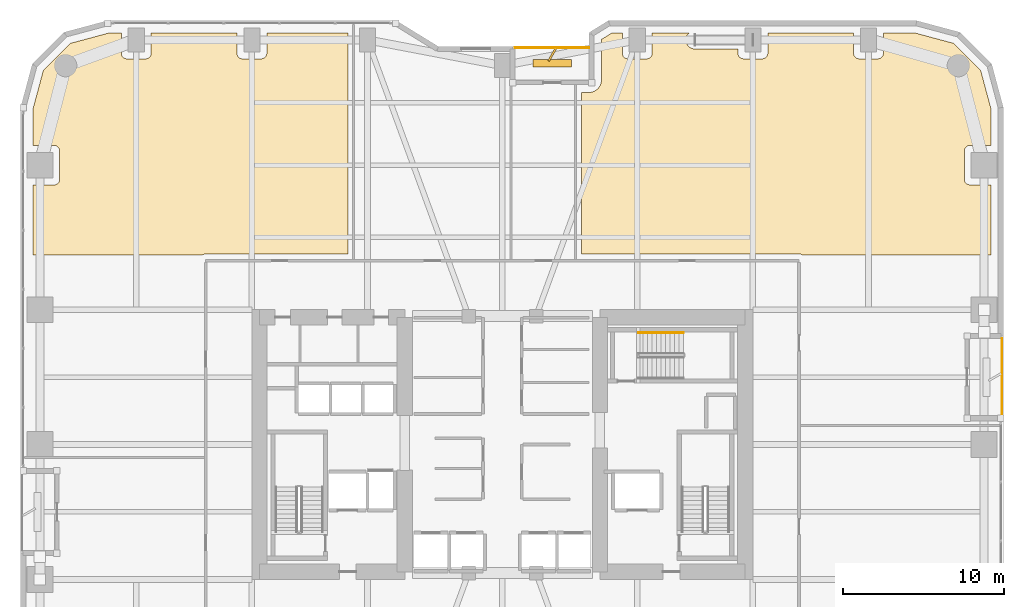
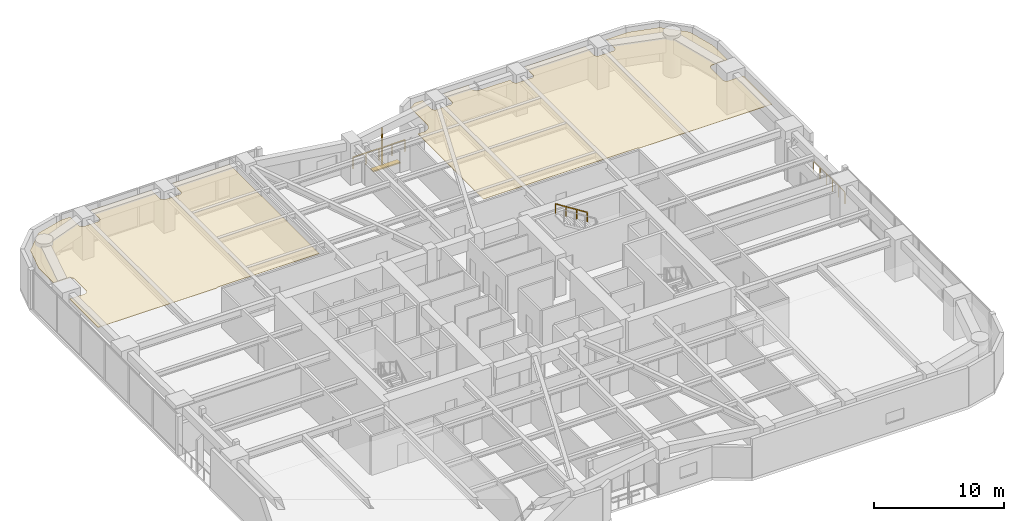
# One storey, part 28 of 28: 3 railings, 2 coverings, 2 shading devices.
"""IFC4 building model written with IfcOpenShell, lengths in metres."""

import ifcopenshell
import ifcopenshell.guid

model = None  # the IFC model being written
_history = None  # IfcOwnerHistory: only IFC2X3 demands one
_inside = {}  # id of a spatial element -> (the spatial element, [elements in it])
_under = {}  # id of a project, library or spatial element -> (it, [spatial elements below it])
_declared = {}  # id of a project -> (the project, [libraries it declares])
_typed = {}  # id of a type object -> (the type object, [elements of that type])
_made_of = {}  # id of a material, layer set ... -> (it, [elements and type objects made of it])


def new_model(schema):
    """Start an empty IFC model of exactly this schema.

    Asked for "IFC4X3", IfcOpenShell would pick the latest addendum, in which some entities
    have other attributes; the version numbers below select the first issue.
    IFC2X3 requires an IfcOwnerHistory on every rooted entity: one is made here for all.
    """
    global model, _history
    if schema == "IFC4X3":
        model = ifcopenshell.file(schema_version=(4, 3, 0, 0))
    else:
        model = ifcopenshell.file(schema=schema)
    _inside.clear()
    _under.clear()
    _declared.clear()
    _typed.clear()
    _made_of.clear()
    _history = None
    if model.schema == "IFC2X3":
        org = make("IfcOrganization", Name="unknown")
        user = make(
            "IfcPersonAndOrganization",
            ThePerson=make("IfcPerson", FamilyName="unknown"),
            TheOrganization=org,
        )
        app = make(
            "IfcApplication",
            ApplicationDeveloper=org,
            Version="unknown",
            ApplicationFullName="unknown",
            ApplicationIdentifier="unknown",
        )
        _history = make(
            "IfcOwnerHistory",
            OwningUser=user,
            OwningApplication=app,
            ChangeAction="ADDED",
            CreationDate=0,
        )
    return model


def make(cls, **values):
    """One entity of the class cls with the attributes given. An attribute that is None is left unset."""
    return model.create_entity(
        cls, **{name: value for name, value in values.items() if value is not None}
    )


def rooted(cls, **values):
    """An entity with a GlobalId (a new one), such as an element, a storey or a relation."""
    return make(cls, GlobalId=ifcopenshell.guid.new(), OwnerHistory=_history, **values)


def si_unit(unit_type, name, prefix=None):
    """IfcSIUnit, for example si_unit("LENGTHUNIT", "METRE", prefix="MILLI")."""
    return make("IfcSIUnit", UnitType=unit_type, Prefix=prefix, Name=name)


def assignment(units):
    """IfcUnitAssignment: the units of a project."""
    return None if units is None else make("IfcUnitAssignment", Units=units)


def point(xyz):
    """IfcCartesianPoint."""
    return None if xyz is None else make("IfcCartesianPoint", Coordinates=xyz)


def direction(xyz):
    """IfcDirection."""
    return None if xyz is None else make("IfcDirection", DirectionRatios=xyz)


def frame(location, z_axis=None, x_axis=None):
    """IfcAxis2Placement3D, a coordinate frame: its origin and axes. An axis left out is left unset."""
    return make(
        "IfcAxis2Placement3D",
        Location=point(location),
        Axis=direction(z_axis),
        RefDirection=direction(x_axis),
    )


def frame_2d(location, x_axis=None):
    """IfcAxis2Placement2D, a coordinate frame in the plane: its origin and x axis."""
    return make(
        "IfcAxis2Placement2D", Location=point(location), RefDirection=direction(x_axis)
    )


def origin():
    """The frame at (0, 0, 0) with its axes left unset."""
    return frame((0.0, 0.0, 0.0))


def origin_2d():
    """The frame at (0, 0) in the plane with its x axis left unset."""
    return frame_2d((0.0, 0.0))


def place(relative_to, where):
    """IfcLocalPlacement: puts the frame where relative to a parent placement (None: the world)."""
    return make(
        "IfcLocalPlacement", PlacementRelTo=relative_to, RelativePlacement=where
    )


def context(
    kind, dimensions, precision=None, world=None, true_north=None, identifier=None
):
    """IfcGeometricRepresentationContext, for example the 3D "Model" context."""
    return make(
        "IfcGeometricRepresentationContext",
        ContextIdentifier=identifier,
        ContextType=kind,
        CoordinateSpaceDimension=dimensions,
        Precision=precision,
        WorldCoordinateSystem=world,
        TrueNorth=true_north,
    )


def subcontext(parent, identifier, kind, view, scale=None):
    """IfcGeometricRepresentationSubContext, for example "Body" below "Model"."""
    return make(
        "IfcGeometricRepresentationSubContext",
        ContextIdentifier=identifier,
        ContextType=kind,
        ParentContext=parent,
        TargetScale=scale,
        TargetView=view,
    )


def project(units=None, contexts=None):
    """IfcProject with its units and contexts."""
    return rooted(
        "IfcProject",
        Name="project",
        RepresentationContexts=contexts,
        UnitsInContext=assignment(units),
    )


def spatial(cls, under=None, at=None, **own):
    """A site, building, storey or space (cls), placed at a placement, below another one or the project."""
    s = rooted(cls, ObjectPlacement=at, **own)
    if under is not None:
        _under.setdefault(under.id(), (under, []))[1].append(s)
    return s


def polyline(points):
    """IfcPolyline through the points."""
    return make("IfcPolyline", Points=[point(p) for p in points])


def profile(cls, at=None, kind="AREA", **sizes):
    """A parametric profile (cls). Its sizes go by their IFC names, for example OverallWidth=200.0."""
    return make(cls, ProfileType=kind, Position=at, **sizes)


def rectangle(**sizes):
    """IfcRectangleProfileDef."""
    return profile("IfcRectangleProfileDef", **sizes)


def outline(outer, holes=None, kind="AREA"):
    """IfcArbitraryClosedProfileDef: a profile drawn as a closed curve; with holes, ...WithVoids."""
    if holes is None:
        return make("IfcArbitraryClosedProfileDef", ProfileType=kind, OuterCurve=outer)
    return make(
        "IfcArbitraryProfileDefWithVoids",
        ProfileType=kind,
        OuterCurve=outer,
        InnerCurves=holes,
    )


def extrude(swept, where, along, depth):
    """IfcExtrudedAreaSolid: the profile swept, set in the frame where, extruded along a direction by depth."""
    return make(
        "IfcExtrudedAreaSolid",
        SweptArea=swept,
        Position=where,
        ExtrudedDirection=direction(along),
        Depth=depth,
    )


def shape(context_of_items, identifier, shape_type, items):
    """IfcShapeRepresentation: the items that make up one representation, for example the "Body"."""
    return make(
        "IfcShapeRepresentation",
        ContextOfItems=context_of_items,
        RepresentationIdentifier=identifier,
        RepresentationType=shape_type,
        Items=items,
    )


def material(Name=None, Category=None):
    """IfcMaterial."""
    return make("IfcMaterial", Name=Name, Category=Category)


def layer(
    of_material, thickness, ventilated=None, Name=None, Category=None, Priority=None
):
    """IfcMaterialLayer: one layer of a wall or slab, of a material (None: an air gap)."""
    return make(
        "IfcMaterialLayer",
        Material=of_material,
        LayerThickness=thickness,
        IsVentilated=ventilated,
        Name=Name,
        Category=Category,
        Priority=Priority,
    )


def layer_set(layers, Name=None):
    """IfcMaterialLayerSet."""
    return make("IfcMaterialLayerSet", MaterialLayers=layers, LayerSetName=Name)


def made_of(thing, what):
    """Note that an element or type object is made of a material, layer set ...; save() writes the relation."""
    if what is not None:
        _made_of.setdefault(what.id(), (what, []))[1].append(thing)
    return thing


def type_object(cls, material=None, **own):
    """A type object (cls), such as IfcWallType, which elements share."""
    return made_of(rooted(cls, **own), material)


def element(
    cls,
    number,
    at=None,
    inside=None,
    cuts=None,
    type_object=None,
    material=None,
    context=None,
    identifier="Body",
    shape_type=None,
    held_by="IfcProductDefinitionShape",
    body=None,
    shapes=None,
    **own,
):
    """One element of the class cls, such as IfcWall. Its Tag is "e" and its number.

    at: its placement. inside: the storey or other place that contains it. cuts: it is an
    opening in that element (IfcRelVoidsElement). A single representation is given by context,
    identifier, shape_type and body (its items); several are given by shapes. held_by: the class
    of the entity that holds the representations. save() writes the other relations.
    """
    e = rooted(cls, Tag="e%d" % number, ObjectPlacement=at, **own)
    if body is not None:
        shapes = [shape(context, identifier, shape_type, body)]
    if shapes is not None:
        e.Representation = make(held_by, Representations=shapes)
    if inside is not None:
        _inside.setdefault(inside.id(), (inside, []))[1].append(e)
    if cuts is not None:
        rooted(
            "IfcRelVoidsElement", RelatingBuildingElement=cuts, RelatedOpeningElement=e
        )
    if type_object is not None:
        _typed.setdefault(type_object.id(), (type_object, []))[1].append(e)
    return made_of(e, material)


def aggregate(whole, parts):
    """IfcRelAggregates: a whole, such as a stair, and the parts it consists of."""
    return rooted("IfcRelAggregates", RelatingObject=whole, RelatedObjects=parts)


def save(model, path):
    """Write the relations noted so far, then the file.

    IfcRelAggregates (storeys below a building ...), IfcRelContainedInSpatialStructure (elements
    in a storey), IfcRelDefinesByType, IfcRelAssociatesMaterial and IfcRelDeclares: one each for
    every whole, place, type object, material and project.
    """
    for whole, parts in _under.values():
        aggregate(whole, parts)
    for where, things in _inside.values():
        rooted(
            "IfcRelContainedInSpatialStructure",
            RelatedElements=things,
            RelatingStructure=where,
        )
    for kind, things in _typed.values():
        rooted("IfcRelDefinesByType", RelatedObjects=things, RelatingType=kind)
    for what, things in _made_of.values():
        rooted("IfcRelAssociatesMaterial", RelatedObjects=things, RelatingMaterial=what)
    for by, libraries in _declared.values():
        rooted("IfcRelDeclares", RelatingContext=by, RelatedDefinitions=libraries)
    model.write(path)


model = new_model("IFC4")

# Units and contexts
model_context = context("Model", 3, precision=1e-05, world=origin(), true_north=direction((0.0, 1.0)))
body_context = subcontext(model_context, "Body", "Model", "MODEL_VIEW")
ifc_project = project(units=[si_unit("LENGTHUNIT", "METRE"), si_unit("AREAUNIT", "SQUARE_METRE"), si_unit("VOLUMEUNIT", "CUBIC_METRE"), si_unit("PLANEANGLEUNIT", "RADIAN"), si_unit("MASSUNIT", "GRAM", prefix="KILO")], contexts=[model_context])

# Site, building, storey
site_placement = place(None, origin())
site = spatial("IfcSite", under=ifc_project, at=site_placement, CompositionType="ELEMENT")
building_placement = place(site_placement, origin())
building = spatial("IfcBuilding", under=site, at=building_placement, Name="Kiyonajd Concourse Tower", CompositionType="ELEMENT")
storey_placement = place(building_placement, frame((0.0, 0.0, 64.5)))
storey = spatial("IfcBuildingStorey", under=building, at=storey_placement, Name="L17", CompositionType="ELEMENT", Elevation=64.5)

# Coverings
ifc_material_1 = material(Name="Natural Oak Acoustic Timber Veneer", Category="wood")
ifc_layer = layer(ifc_material_1, 0.0400390625)
ifc_layer_set = layer_set([ifc_layer], Name="Natural Oak Acoustic Timber Veneer")
covering_type = type_object("IfcCoveringType", Name="CV-CLG-ACST", PredefinedType="CEILING", material=ifc_layer_set)
covering_1_placement = place(storey_placement, frame((0.0, 0.0, 3.4599609375)))
element("IfcCovering", 1, at=covering_1_placement, inside=storey, type_object=covering_type, Name="L17-48 Room Acoustic Ceiling", PredefinedType="CEILING", context=body_context, shape_type="SweptSolid", body=[
    extrude(outline(polyline([(21.097900390625, 60.986083984375), (23.5009765625, 61.6298828125), (24.27001953125, 61.6298828125), (24.27197265625, 60.3359375), (24.297119140625, 60.236083984375), (24.3291015625, 60.176025390625), (24.373046875, 60.123046875), (24.426025390625, 60.0791015625), (24.486083984375, 60.047119140625), (24.5859375, 60.02197265625), (25.81396484375, 60.02197265625), (25.9140625, 60.047119140625), (26.001953125, 60.09912109375), (26.051025390625, 60.14794921875), (26.089111328125, 60.205078125), (26.123046875, 60.302001953125), (26.1298828125, 60.3701171875), (26.1298828125, 61.6298828125), (31.469970703125, 61.6298828125), (31.471923828125, 60.3359375), (31.4970703125, 60.236083984375), (31.529052734375, 60.176025390625), (31.572998046875, 60.123046875), (31.6259765625, 60.0791015625), (31.68603515625, 60.047119140625), (31.785888671875, 60.02197265625), (32.97998046875, 60.02001953125), (33.048095703125, 60.027099609375), (33.114013671875, 60.047119140625), (33.201904296875, 60.09912109375), (33.2509765625, 60.14794921875), (33.2890625, 60.205078125), (33.322998046875, 60.302001953125), (33.330078125, 60.3701171875), (33.330078125, 61.6298828125), (38.389892578125, 61.6298828125), (38.389892578125, 47.8701171875), (29.52490234375, 47.8701171875), (29.39501953125, 47.85009765625), (29.33203125, 47.823974609375), (29.277099609375, 47.7900390625), (18.77001953125, 47.7900390625), (18.77001953125, 52.169921875), (20.080078125, 52.169921875), (20.14794921875, 52.177001953125), (20.2451171875, 52.2109375), (20.302001953125, 52.2490234375), (20.35107421875, 52.298095703125), (20.388916015625, 52.35498046875), (20.4150390625, 52.41796875), (20.429931640625, 52.52001953125), (20.429931640625, 54.280029296875), (20.4150390625, 54.382080078125), (20.388916015625, 54.445068359375), (20.35107421875, 54.501953125), (20.302001953125, 54.551025390625), (20.2451171875, 54.589111328125), (20.181884765625, 54.614990234375), (20.114013671875, 54.6279296875), (18.77001953125, 54.6298828125), (18.77001953125, 56.89892578125), (19.4140625, 59.302001953125), (21.097900390625, 60.986083984375)])), origin(), (0.0, 0.0, 1.0), 0.0400390625),
])
covering_2_placement = place(storey_placement, frame((0.0, 0.0, 3.4599609375)))
element("IfcCovering", 2, at=covering_2_placement, inside=storey, type_object=covering_type, Name="L17-51 Room Acoustic Ceiling", PredefinedType="CEILING", context=body_context, shape_type="SweptSolid", body=[
    extrude(outline(polyline([(53.532958984375, 57.94189453125), (53.639892578125, 57.968994140625), (53.72802734375, 58.00390625), (53.839111328125, 58.068115234375), (53.95703125, 58.16796875), (54.031982421875, 58.260986328125), (54.095947265625, 58.3720703125), (54.131103515625, 58.4599609375), (54.157958984375, 58.56689453125), (54.16796875, 58.658935546875), (54.169921875, 61.23095703125), (54.818115234375, 61.6298828125), (55.469970703125, 61.6298828125), (55.469970703125, 60.3701171875), (55.47705078125, 60.302001953125), (55.510986328125, 60.205078125), (55.549072265625, 60.14794921875), (55.597900390625, 60.09912109375), (55.68603515625, 60.047119140625), (55.751953125, 60.027099609375), (55.820068359375, 60.02001953125), (57.013916015625, 60.02197265625), (57.114013671875, 60.047119140625), (57.174072265625, 60.0791015625), (57.22705078125, 60.123046875), (57.27099609375, 60.176025390625), (57.302978515625, 60.236083984375), (57.327880859375, 60.3359375), (57.330078125, 61.6298828125), (59.6259765625, 61.6298828125), (59.5390625, 61.533935546875), (59.498046875, 61.469970703125), (59.467041015625, 61.40087890625), (59.43603515625, 61.27490234375), (59.429931640625, 61.199951171875), (59.43603515625, 61.125), (59.467041015625, 60.9990234375), (59.498046875, 60.929931640625), (59.5390625, 60.865966796875), (59.637939453125, 60.759033203125), (59.759033203125, 60.68408203125), (59.87109375, 60.64501953125), (59.97802734375, 60.631103515625), (62.669921875, 60.6298828125), (62.672119140625, 60.3359375), (62.68505859375, 60.26806640625), (62.7109375, 60.205078125), (62.77294921875, 60.123046875), (62.85498046875, 60.06103515625), (62.91796875, 60.034912109375), (63.02001953125, 60.02001953125), (64.214111328125, 60.02197265625), (64.31396484375, 60.047119140625), (64.3740234375, 60.0791015625), (64.427001953125, 60.123046875), (64.489013671875, 60.205078125), (64.514892578125, 60.26806640625), (64.528076171875, 60.3359375), (64.530029296875, 61.6298828125), (69.8701171875, 61.6298828125), (69.8701171875, 60.3701171875), (69.876953125, 60.302001953125), (69.89697265625, 60.236083984375), (69.928955078125, 60.176025390625), (69.998046875, 60.09912109375), (70.0859375, 60.047119140625), (70.18603515625, 60.02197265625), (71.4140625, 60.02197265625), (71.513916015625, 60.047119140625), (71.573974609375, 60.0791015625), (71.626953125, 60.123046875), (71.68896484375, 60.205078125), (71.715087890625, 60.26806640625), (71.72802734375, 60.3359375), (71.72998046875, 61.6298828125), (73.698974609375, 61.6298828125), (76.10205078125, 60.986083984375), (77.785888671875, 59.302001953125), (78.429931640625, 56.89892578125), (78.429931640625, 54.6298828125), (77.1201171875, 54.6298828125), (77.052001953125, 54.623046875), (76.986083984375, 54.60302734375), (76.926025390625, 54.571044921875), (76.84912109375, 54.501953125), (76.81103515625, 54.445068359375), (76.784912109375, 54.382080078125), (76.77001953125, 54.280029296875), (76.77001953125, 52.52001953125), (76.784912109375, 52.41796875), (76.81103515625, 52.35498046875), (76.84912109375, 52.298095703125), (76.89794921875, 52.2490234375), (76.955078125, 52.2109375), (77.01806640625, 52.18505859375), (77.0859375, 52.172119140625), (78.429931640625, 52.169921875), (78.429931640625, 47.7900390625), (66.722900390625, 47.7900390625), (66.66796875, 47.823974609375), (66.60498046875, 47.85009765625), (66.47509765625, 47.8701171875), (52.929931640625, 47.8701171875), (52.929931640625, 57.930908203125), (53.44189453125, 57.931884765625), (53.532958984375, 57.94189453125)])), origin(), (0.0, 0.0, 1.0), 0.0400390625),
])

# Railings
ifc_material_2 = material(Name="Thermally Broken Anodised Aluminium", Category="aluminium")
railing_type_1 = type_object("IfcRailingType", Name="RL-GRD-LOG", PredefinedType="GUARDRAIL", material=ifc_material_2)
railing_1_placement = place(storey_placement, frame((53.39990234375, 60.719970703125, 0.0)))
element("IfcRailing", 3, at=railing_1_placement, inside=storey, type_object=railing_type_1, Name="L17 Engawa Loggia Perimeter Guard LOG-N", PredefinedType="GUARDRAIL", context=body_context, shape_type="SweptSolid", body=[
    extrude(rectangle(XDim=0.048095703125, YDim=0.048095703125, at=origin_2d()), frame((0.0, 0.0, 1.076171875), z_axis=(-1.0, 0.0, 0.0), x_axis=(0.0, -1.0, 0.0)), (0.0, 0.0, 1.0), 4.599853515625),
    extrude(rectangle(XDim=0.0419921875, YDim=0.0419921875, at=origin_2d()), origin(), (0.0, 0.0, 1.0), 1.052001953125),
    extrude(rectangle(XDim=0.0419921875, YDim=0.0419921875, at=origin_2d()), frame((-1.14990234375, 0.0, 0.0)), (0.0, 0.0, 1.0), 1.052001953125),
    extrude(rectangle(XDim=0.0419921875, YDim=0.0419921875, at=origin_2d()), frame((-2.2998046875, 0.0, 0.0)), (0.0, 0.0, 1.0), 1.052001953125),
    extrude(rectangle(XDim=0.0419921875, YDim=0.0419921875, at=origin_2d()), frame((-3.449951171875, 0.0, 0.0)), (0.0, 0.0, 1.0), 1.052001953125),
    extrude(rectangle(XDim=0.0419921875, YDim=0.0419921875, at=origin_2d()), frame((-4.599853515625, 0.0, 0.0)), (0.0, 0.0, 1.0), 1.052001953125),
])
railing_2_placement = place(storey_placement, frame((79.1201171875, 37.800048828125, 0.0)))
element("IfcRailing", 4, at=railing_2_placement, inside=storey, type_object=railing_type_1, Name="L17 Engawa Loggia Perimeter Guard LOG-E", PredefinedType="GUARDRAIL", context=body_context, shape_type="SweptSolid", body=[
    extrude(rectangle(XDim=0.048095703125, YDim=0.048095703125, at=origin_2d()), frame((0.0, 0.0, 1.076171875), z_axis=(0.0, 1.0, 0.0), x_axis=(-1.0, 0.0, 0.0)), (0.0, 0.0, 1.0), 4.800048828125),
    extrude(rectangle(XDim=0.0419921875, YDim=0.0419921875, at=origin_2d()), origin(), (0.0, 0.0, 1.0), 1.052001953125),
    extrude(rectangle(XDim=0.0419921875, YDim=0.0419921875, at=origin_2d()), frame((0.0, 0.9599609375, 0.0)), (0.0, 0.0, 1.0), 1.052001953125),
    extrude(rectangle(XDim=0.0419921875, YDim=0.0419921875, at=origin_2d()), frame((0.0, 1.919921875, 0.0)), (0.0, 0.0, 1.0), 1.052001953125),
    extrude(rectangle(XDim=0.0419921875, YDim=0.0419921875, at=origin_2d()), frame((0.0, 2.880126953125, 0.0)), (0.0, 0.0, 1.0), 1.052001953125),
    extrude(rectangle(XDim=0.0419921875, YDim=0.0419921875, at=origin_2d()), frame((0.0, 3.840087890625, 0.0)), (0.0, 0.0, 1.0), 1.052001953125),
    extrude(rectangle(XDim=0.0419921875, YDim=0.0419921875, at=origin_2d()), frame((0.0, 4.800048828125, 0.0)), (0.0, 0.0, 1.0), 1.052001953125),
])
ifc_material_3 = material(Name="Brushed Stainless Steel Cab Assembly", Category="steel")
railing_type_2 = type_object("IfcRailingType", Name="RL-HND-900", PredefinedType="HANDRAIL", material=ifc_material_3)
railing_3_placement = place(storey_placement, frame((59.280029296875, 42.969970703125, 2.127197265625)))
element("IfcRailing", 5, at=railing_3_placement, inside=storey, type_object=railing_type_2, Name="L17 ST3 stair handrail 2", PredefinedType="HANDRAIL", context=body_context, shape_type="SweptSolid", body=[
    extrude(rectangle(XDim=0.048095703125, YDim=0.048095703125, at=origin_2d()), frame((0.0, 0.0, 0.8759765625), z_axis=(-0.844908973607, 0.0, 0.534910110503), x_axis=(0.0, -1.0, 0.0)), (0.0, 0.0, 1.0), 3.31396484375),
    extrude(rectangle(XDim=0.0419921875, YDim=0.0419921875, at=origin_2d()), origin(), (0.0, 0.0, 1.0), 0.851806640625),
    extrude(rectangle(XDim=0.0419921875, YDim=0.0419921875, at=origin_2d()), frame((-0.933349609375, 0.0, 0.5908203125)), (0.0, 0.0, 1.0), 0.851806640625),
    extrude(rectangle(XDim=0.0419921875, YDim=0.0419921875, at=origin_2d()), frame((-1.86669921875, 0.0, 1.181884765625)), (0.0, 0.0, 1.0), 0.851806640625),
    extrude(rectangle(XDim=0.0419921875, YDim=0.0419921875, at=origin_2d()), frame((-2.800048828125, 0.0, 1.772705078125)), (0.0, 0.0, 1.0), 0.851806640625),
])

# Shading devices
ifc_material_4 = material(Name="Precast concrete C50/60", Category="concrete")
shading_device_type_1 = type_object("IfcShadingDeviceType", Name="SH-FIN-900", PredefinedType="USERDEFINED", material=ifc_material_4)
shading_device_1_placement = place(storey_placement, frame((51.10009765625, 60.27001953125, 0.0), z_axis=(0.0, 0.0, 1.0), x_axis=(0.5, 0.866025403784, 0.0)))
element("IfcShadingDevice", 6, at=shading_device_1_placement, inside=storey, type_object=shading_device_type_1, Name="L17 Angled Koshi Solar Fin LOG-N", ObjectType="FIN", PredefinedType="USERDEFINED", context=body_context, shape_type="SweptSolid", body=[
    extrude(rectangle(XDim=0.89990234375, YDim=0.1201171875, at=origin_2d()), origin(), (0.0, 0.0, 1.0), 3.0),
])
shading_device_type_2 = type_object("IfcShadingDeviceType", Name="SH-LVR-600", PredefinedType="JALOUSIE", material=ifc_material_2)
shading_device_2_placement = place(storey_placement, frame((51.10009765625, 59.75, 0.0), z_axis=(0.0, 0.0, 1.0), x_axis=(1.0, 0.0, 0.0)))
element("IfcShadingDevice", 7, at=shading_device_2_placement, inside=storey, type_object=shading_device_type_2, Name="L17 Loggia Threshold Louver LOG-N", PredefinedType="JALOUSIE", context=body_context, shape_type="SweptSolid", body=[
    extrude(rectangle(XDim=2.39990234375, YDim=0.449951171875, at=origin_2d()), origin(), (0.0, 0.0, 1.0), 0.10009765625),
])

save(model, "model.ifc")
